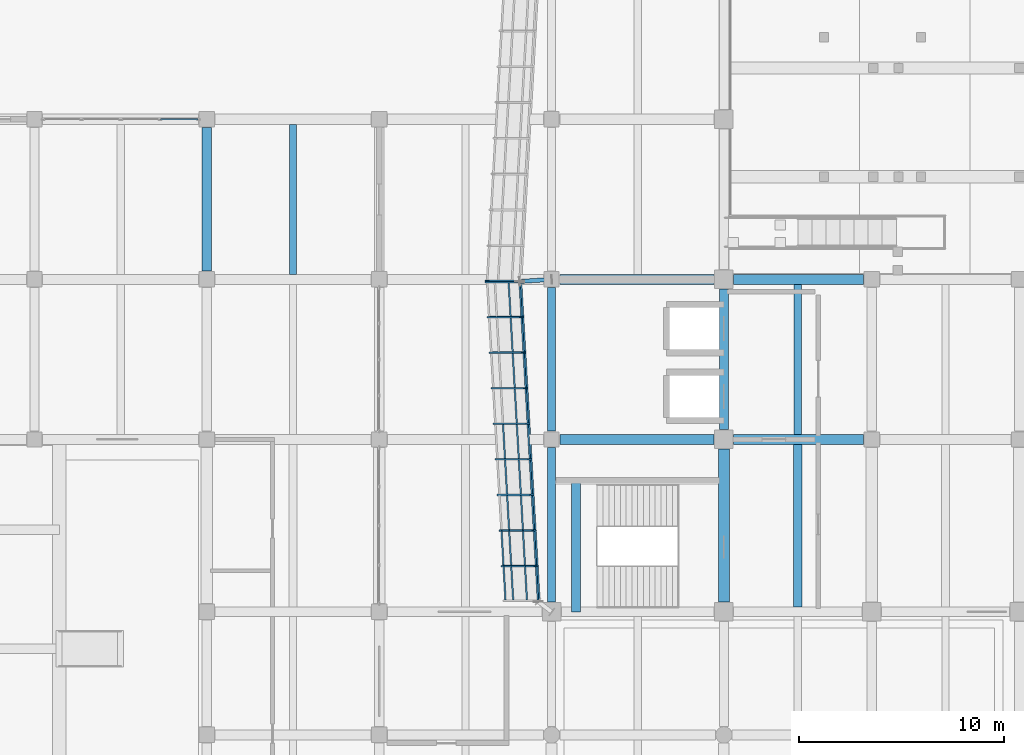
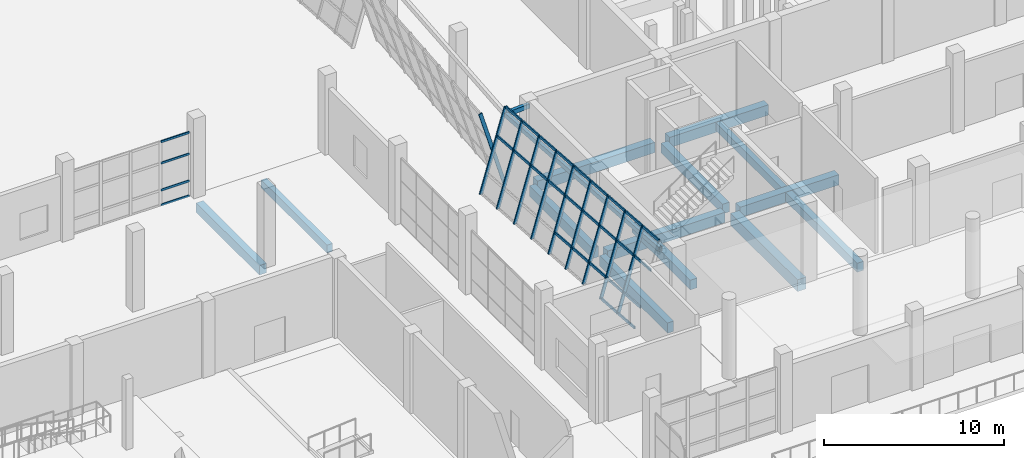
# One storey, part 21 of 78: 39 members, 15 beams, 3 elements without a shape of their own.
"""IFC4 building model written with IfcOpenShell, lengths in metres."""

from ifc_helpers import new_model, si_unit, direction, frame, origin, origin_2d, place, context, subcontext, project, spatial, rectangle, hollow_rectangle, extrude, material, material_profile, profile_set, type_object, element, aggregate, save


model = new_model("IFC4")

# Units and contexts
model_context = context("Model", 3, precision=1e-05, world=origin(), true_north=direction((0.0, 1.0)))
body_context = subcontext(model_context, "Body", "Model", "MODEL_VIEW")
ifc_project = project(units=[si_unit("LENGTHUNIT", "METRE"), si_unit("AREAUNIT", "SQUARE_METRE"), si_unit("VOLUMEUNIT", "CUBIC_METRE"), si_unit("PLANEANGLEUNIT", "RADIAN"), si_unit("MASSUNIT", "GRAM", prefix="KILO")], contexts=[model_context])

# Site, building, storey
site_placement = place(None, origin())
site = spatial("IfcSite", under=ifc_project, at=site_placement, CompositionType="ELEMENT")
building_placement = place(site_placement, origin())
building = spatial("IfcBuilding", under=site, at=building_placement, Name="Pellamere Symphony Hall", CompositionType="ELEMENT")
storey_placement = place(building_placement, origin())
storey = spatial("IfcBuildingStorey", under=building, at=storey_placement, Name="L00", CompositionType="ELEMENT", Elevation=0.0)

# Curtain wall, member
ifc_material_1 = material(Name="Thermally Broken Anodised Aluminium 6063-T6 Curtain Wall", Category="aluminium")
curtain_wall_type_1 = type_object("IfcCurtainWallType", Name="Curtain Wall CW-01 (Tilted Faceted Crystal Low-Iron Curtain Wall)", PredefinedType="NOTDEFINED", material=ifc_material_1)
curtain_wall_1_placement = place(storey_placement, origin())
curtain_wall_1 = element("IfcCurtainWall", 1, at=curtain_wall_1_placement, inside=storey, type_object=curtain_wall_type_1, Name="Crystal Faceted Curtain Wall CW-CR17 (L00)", PredefinedType="NOTDEFINED")
ifc_material_2 = material(Name="Anodised Architectural Aluminium 6063-T6", Category="aluminium")
ifc_material_profile_1 = material_profile(ifc_material_2, hollow_rectangle(XDim=0.074951171875, YDim=0.219970703125, WallThickness=0.0048828125, at=origin_2d()), Name="ALU-M75X220X5")
ifc_profile_set_1 = profile_set([ifc_material_profile_1], Name="Anodised Architectural Aluminium 6063-T6")
member_type_1 = type_object("IfcMemberType", Name="Curtain Wall Mullion ML-01 ALU-M75X220X5", PredefinedType="MULLION", material=ifc_profile_set_1)
member_1_placement = place(storey_placement, frame((48.85205078125, 46.137451171875, 0.0), z_axis=(-0.284029290042, 0.0, 0.958815603961), x_axis=(-0.054873864247, -0.99836096977, -0.016255247244)))
member_1 = element("IfcMember", 2, at=member_1_placement, type_object=member_type_1, Name="CW1-047 crystal mullion 10", PredefinedType="MULLION", context=body_context, shape_type="SweptSolid", body=[
    extrude(hollow_rectangle(XDim=0.074951171875, YDim=0.219970703125, WallThickness=0.0048828125, at=origin_2d()), origin(), (0.0, 0.0, 1.0), 5.6318359375),
])
aggregate(curtain_wall_1, [member_1])

# Curtain wall, members
curtain_wall_2_placement = place(storey_placement, origin())
curtain_wall_2 = element("IfcCurtainWall", 3, at=curtain_wall_2_placement, inside=storey, type_object=curtain_wall_type_1, Name="Crystal Faceted Curtain Wall CW-CR18 (L00)", PredefinedType="NOTDEFINED")
member_2_placement = place(storey_placement, frame((47.25244140625, 46.0625, 0.0), z_axis=(0.284029290042, 0.0, 0.958815603961), x_axis=(-0.055224456577, 0.998339941676, 0.01635910297)))
member_2 = element("IfcMember", 4, at=member_2_placement, type_object=member_type_1, Name="CW1-052 crystal mullion 1", PredefinedType="MULLION", context=body_context, shape_type="SweptSolid", body=[
    extrude(hollow_rectangle(XDim=0.074951171875, YDim=0.219970703125, WallThickness=0.0048828125, at=origin_2d()), origin(), (0.0, 0.0, 1.0), 5.6318359375),
])
member_3_placement = place(storey_placement, frame((47.350341796875, 44.36669921875, 0.0), z_axis=(0.284029290042, 0.0, 0.958815603961), x_axis=(-0.055224456577, 0.998339941676, 0.01635910297)))
member_3 = element("IfcMember", 5, at=member_3_placement, type_object=member_type_1, Name="CW1-052 crystal mullion 2", PredefinedType="MULLION", context=body_context, shape_type="SweptSolid", body=[
    extrude(hollow_rectangle(XDim=0.074951171875, YDim=0.219970703125, WallThickness=0.0048828125, at=origin_2d()), origin(), (0.0, 0.0, 1.0), 5.6318359375),
])
member_4_placement = place(storey_placement, frame((47.450439453125, 42.63330078125, 0.0), z_axis=(0.284029290042, 0.0, 0.958815603961), x_axis=(-0.055224456577, 0.998339941676, 0.01635910297)))
member_4 = element("IfcMember", 6, at=member_4_placement, type_object=member_type_1, Name="CW1-052 crystal mullion 3", PredefinedType="MULLION", context=body_context, shape_type="SweptSolid", body=[
    extrude(hollow_rectangle(XDim=0.074951171875, YDim=0.219970703125, WallThickness=0.0048828125, at=origin_2d()), origin(), (0.0, 0.0, 1.0), 5.6318359375),
])
member_5_placement = place(storey_placement, frame((47.55029296875, 40.89990234375, 0.0), z_axis=(0.284029290042, 0.0, 0.958815603961), x_axis=(-0.055224456577, 0.998339941676, 0.01635910297)))
member_5 = element("IfcMember", 7, at=member_5_placement, type_object=member_type_1, Name="CW1-052 crystal mullion 4", PredefinedType="MULLION", context=body_context, shape_type="SweptSolid", body=[
    extrude(hollow_rectangle(XDim=0.074951171875, YDim=0.219970703125, WallThickness=0.0048828125, at=origin_2d()), origin(), (0.0, 0.0, 1.0), 5.6318359375),
])
member_6_placement = place(storey_placement, frame((47.650390625, 39.166748046875, 0.0), z_axis=(0.284029290042, 0.0, 0.958815603961), x_axis=(-0.055224456577, 0.998339941676, 0.01635910297)))
member_6 = element("IfcMember", 8, at=member_6_placement, type_object=member_type_1, Name="CW1-052 crystal mullion 5", PredefinedType="MULLION", context=body_context, shape_type="SweptSolid", body=[
    extrude(hollow_rectangle(XDim=0.074951171875, YDim=0.219970703125, WallThickness=0.0048828125, at=origin_2d()), origin(), (0.0, 0.0, 1.0), 5.6318359375),
])
member_7_placement = place(storey_placement, frame((47.75048828125, 37.433349609375, 0.0), z_axis=(0.284029290042, 0.0, 0.958815603961), x_axis=(-0.055224456577, 0.998339941676, 0.01635910297)))
member_7 = element("IfcMember", 9, at=member_7_placement, type_object=member_type_1, Name="CW1-052 crystal mullion 6", PredefinedType="MULLION", context=body_context, shape_type="SweptSolid", body=[
    extrude(hollow_rectangle(XDim=0.074951171875, YDim=0.219970703125, WallThickness=0.0048828125, at=origin_2d()), origin(), (0.0, 0.0, 1.0), 5.6318359375),
])
member_8_placement = place(storey_placement, frame((47.850341796875, 35.699951171875, 0.0), z_axis=(0.284029290042, 0.0, 0.958815603961), x_axis=(-0.055224456577, 0.998339941676, 0.01635910297)))
member_8 = element("IfcMember", 10, at=member_8_placement, type_object=member_type_1, Name="CW1-052 crystal mullion 7", PredefinedType="MULLION", context=body_context, shape_type="SweptSolid", body=[
    extrude(hollow_rectangle(XDim=0.074951171875, YDim=0.219970703125, WallThickness=0.0048828125, at=origin_2d()), origin(), (0.0, 0.0, 1.0), 5.6318359375),
])
member_9_placement = place(storey_placement, frame((47.950439453125, 33.966552734375, 0.0), z_axis=(0.284029290042, 0.0, 0.958815603961), x_axis=(-0.055224456577, 0.998339941676, 0.01635910297)))
member_9 = element("IfcMember", 11, at=member_9_placement, type_object=member_type_1, Name="CW1-052 crystal mullion 8", PredefinedType="MULLION", context=body_context, shape_type="SweptSolid", body=[
    extrude(hollow_rectangle(XDim=0.074951171875, YDim=0.219970703125, WallThickness=0.0048828125, at=origin_2d()), origin(), (0.0, 0.0, 1.0), 5.6318359375),
])
member_10_placement = place(storey_placement, frame((48.05029296875, 32.2333984375, 0.0), z_axis=(0.284029290042, 0.0, 0.958815603961), x_axis=(-0.055224456577, 0.998339941676, 0.01635910297)))
member_10 = element("IfcMember", 12, at=member_10_placement, type_object=member_type_1, Name="CW1-052 crystal mullion 9", PredefinedType="MULLION", context=body_context, shape_type="SweptSolid", body=[
    extrude(hollow_rectangle(XDim=0.074951171875, YDim=0.219970703125, WallThickness=0.0048828125, at=origin_2d()), origin(), (0.0, 0.0, 1.0), 5.6318359375),
])
ifc_material_profile_2 = material_profile(ifc_material_2, hollow_rectangle(XDim=0.074951171875, YDim=0.179931640625, WallThickness=0.0048828125, at=origin_2d()), Name="ALU-T75X180X5")
ifc_profile_set_2 = profile_set([ifc_material_profile_2], Name="Anodised Architectural Aluminium 6063-T6")
member_type_2 = type_object("IfcMemberType", Name="Curtain Wall Transom TR-01 ALU-T75X180X5", PredefinedType="USERDEFINED", material=ifc_profile_set_2)
member_11_placement = place(storey_placement, frame((48.310546875, 46.025146484375, 3.56396484375), z_axis=(0.057585007883, -0.99834060664, 0.0), x_axis=(0.99834060664, 0.057585007883, 0.0)))
member_11 = element("IfcMember", 13, at=member_11_placement, type_object=member_type_2, Name="CW1-052 crystal transom 1.3", ObjectType="TRANSOM", PredefinedType="USERDEFINED", context=body_context, shape_type="SweptSolid", body=[
    extrude(hollow_rectangle(XDim=0.074951171875, YDim=0.179931640625, WallThickness=0.0048828125, at=origin_2d()), origin(), (0.0, 0.0, 1.0), 1.623779296875),
])
member_12_placement = place(storey_placement, frame((48.84375, 46.025146484375, 5.364013671875), z_axis=(0.057585007883, -0.99834060664, 0.0), x_axis=(0.99834060664, 0.057585007883, 0.0)))
member_12 = element("IfcMember", 14, at=member_12_placement, type_object=member_type_2, Name="CW1-052 crystal transom 1.4", ObjectType="TRANSOM", PredefinedType="USERDEFINED", context=body_context, shape_type="SweptSolid", body=[
    extrude(hollow_rectangle(XDim=0.074951171875, YDim=0.179931640625, WallThickness=0.0048828125, at=origin_2d()), origin(), (0.0, 0.0, 1.0), 1.623779296875),
])
member_13_placement = place(storey_placement, frame((48.408203125, 44.329345703125, 3.56396484375), z_axis=(0.057602168051, -0.998339616682, 0.0), x_axis=(0.998339616682, 0.057602168051, 0.0)))
member_13 = element("IfcMember", 15, at=member_13_placement, type_object=member_type_2, Name="CW1-052 crystal transom 2.3", ObjectType="TRANSOM", PredefinedType="USERDEFINED", context=body_context, shape_type="SweptSolid", body=[
    extrude(hollow_rectangle(XDim=0.074951171875, YDim=0.179931640625, WallThickness=0.0048828125, at=origin_2d()), origin(), (0.0, 0.0, 1.0), 1.661376953125),
])
member_14_placement = place(storey_placement, frame((48.94140625, 44.329345703125, 5.364013671875), z_axis=(0.057602168051, -0.998339616682, 0.0), x_axis=(0.998339616682, 0.057602168051, 0.0)))
member_14 = element("IfcMember", 16, at=member_14_placement, type_object=member_type_2, Name="CW1-052 crystal transom 2.4", ObjectType="TRANSOM", PredefinedType="USERDEFINED", context=body_context, shape_type="SweptSolid", body=[
    extrude(hollow_rectangle(XDim=0.074951171875, YDim=0.179931640625, WallThickness=0.0048828125, at=origin_2d()), origin(), (0.0, 0.0, 1.0), 1.661376953125),
])
member_15_placement = place(storey_placement, frame((48.50830078125, 42.595947265625, 3.56396484375), z_axis=(0.057610619545, -0.998339129012, 0.0), x_axis=(0.998339129012, 0.057610619545, 0.0)))
member_15 = element("IfcMember", 17, at=member_15_placement, type_object=member_type_2, Name="CW1-052 crystal transom 3.3", ObjectType="TRANSOM", PredefinedType="USERDEFINED", context=body_context, shape_type="SweptSolid", body=[
    extrude(hollow_rectangle(XDim=0.074951171875, YDim=0.179931640625, WallThickness=0.0048828125, at=origin_2d()), origin(), (0.0, 0.0, 1.0), 1.6611328125),
])
member_16_placement = place(storey_placement, frame((49.04150390625, 42.595947265625, 5.364013671875), z_axis=(0.057610619545, -0.998339129012, 0.0), x_axis=(0.998339129012, 0.057610619545, 0.0)))
member_16 = element("IfcMember", 18, at=member_16_placement, type_object=member_type_2, Name="CW1-052 crystal transom 3.4", ObjectType="TRANSOM", PredefinedType="USERDEFINED", context=body_context, shape_type="SweptSolid", body=[
    extrude(hollow_rectangle(XDim=0.074951171875, YDim=0.179931640625, WallThickness=0.0048828125, at=origin_2d()), origin(), (0.0, 0.0, 1.0), 1.6611328125),
])
member_17_placement = place(storey_placement, frame((48.6083984375, 40.862548828125, 3.56396484375), z_axis=(0.057464139598, -0.998347571069, 0.0), x_axis=(0.998347571069, 0.057464139598, 0.0)))
member_17 = element("IfcMember", 19, at=member_17_placement, type_object=member_type_2, Name="CW1-052 crystal transom 4.3", ObjectType="TRANSOM", PredefinedType="USERDEFINED", context=body_context, shape_type="SweptSolid", body=[
    extrude(hollow_rectangle(XDim=0.074951171875, YDim=0.179931640625, WallThickness=0.0048828125, at=origin_2d()), origin(), (0.0, 0.0, 1.0), 1.6611328125),
])
member_18_placement = place(storey_placement, frame((49.1416015625, 40.862548828125, 5.364013671875), z_axis=(0.057610619545, -0.998339129012, 0.0), x_axis=(0.998339129012, 0.057610619545, 0.0)))
member_18 = element("IfcMember", 20, at=member_18_placement, type_object=member_type_2, Name="CW1-052 crystal transom 4.4", ObjectType="TRANSOM", PredefinedType="USERDEFINED", context=body_context, shape_type="SweptSolid", body=[
    extrude(hollow_rectangle(XDim=0.074951171875, YDim=0.179931640625, WallThickness=0.0048828125, at=origin_2d()), origin(), (0.0, 0.0, 1.0), 1.6611328125),
])
member_19_placement = place(storey_placement, frame((48.036376953125, 39.129150390625, 1.2958984375), z_axis=(0.057610619545, -0.998339129012, 0.0), x_axis=(0.998339129012, 0.057610619545, 0.0)))
member_19 = element("IfcMember", 21, at=member_19_placement, type_object=member_type_2, Name="CW1-052 crystal transom 5.2", ObjectType="TRANSOM", PredefinedType="USERDEFINED", context=body_context, shape_type="SweptSolid", body=[
    extrude(hollow_rectangle(XDim=0.074951171875, YDim=0.179931640625, WallThickness=0.0048828125, at=origin_2d()), origin(), (0.0, 0.0, 1.0), 1.6611328125),
])
member_20_placement = place(storey_placement, frame((48.708251953125, 39.129150390625, 3.56396484375), z_axis=(0.057610619545, -0.998339129012, 0.0), x_axis=(0.998339129012, 0.057610619545, 0.0)))
member_20 = element("IfcMember", 22, at=member_20_placement, type_object=member_type_2, Name="CW1-052 crystal transom 5.3", ObjectType="TRANSOM", PredefinedType="USERDEFINED", context=body_context, shape_type="SweptSolid", body=[
    extrude(hollow_rectangle(XDim=0.074951171875, YDim=0.179931640625, WallThickness=0.0048828125, at=origin_2d()), origin(), (0.0, 0.0, 1.0), 1.6611328125),
])
member_21_placement = place(storey_placement, frame((49.241455078125, 39.129150390625, 5.364013671875), z_axis=(0.057610619545, -0.998339129012, 0.0), x_axis=(0.998339129012, 0.057610619545, 0.0)))
member_21 = element("IfcMember", 23, at=member_21_placement, type_object=member_type_2, Name="CW1-052 crystal transom 5.4", ObjectType="TRANSOM", PredefinedType="USERDEFINED", context=body_context, shape_type="SweptSolid", body=[
    extrude(hollow_rectangle(XDim=0.074951171875, YDim=0.179931640625, WallThickness=0.0048828125, at=origin_2d()), origin(), (0.0, 0.0, 1.0), 1.6611328125),
])
member_22_placement = place(storey_placement, frame((48.136474609375, 37.39599609375, 1.2958984375), z_axis=(0.057610619545, -0.998339129012, 0.0), x_axis=(0.998339129012, 0.057610619545, 0.0)))
member_22 = element("IfcMember", 24, at=member_22_placement, type_object=member_type_2, Name="CW1-052 crystal transom 6.2", ObjectType="TRANSOM", PredefinedType="USERDEFINED", context=body_context, shape_type="SweptSolid", body=[
    extrude(hollow_rectangle(XDim=0.074951171875, YDim=0.179931640625, WallThickness=0.0048828125, at=origin_2d()), origin(), (0.0, 0.0, 1.0), 1.6611328125),
])
member_23_placement = place(storey_placement, frame((48.808349609375, 37.39599609375, 3.56396484375), z_axis=(0.057610619545, -0.998339129012, 0.0), x_axis=(0.998339129012, 0.057610619545, 0.0)))
member_23 = element("IfcMember", 25, at=member_23_placement, type_object=member_type_2, Name="CW1-052 crystal transom 6.3", ObjectType="TRANSOM", PredefinedType="USERDEFINED", context=body_context, shape_type="SweptSolid", body=[
    extrude(hollow_rectangle(XDim=0.074951171875, YDim=0.179931640625, WallThickness=0.0048828125, at=origin_2d()), origin(), (0.0, 0.0, 1.0), 1.6611328125),
])
member_24_placement = place(storey_placement, frame((49.341552734375, 37.39599609375, 5.364013671875), z_axis=(0.057610619545, -0.998339129012, 0.0), x_axis=(0.998339129012, 0.057610619545, 0.0)))
member_24 = element("IfcMember", 26, at=member_24_placement, type_object=member_type_2, Name="CW1-052 crystal transom 6.4", ObjectType="TRANSOM", PredefinedType="USERDEFINED", context=body_context, shape_type="SweptSolid", body=[
    extrude(hollow_rectangle(XDim=0.074951171875, YDim=0.179931640625, WallThickness=0.0048828125, at=origin_2d()), origin(), (0.0, 0.0, 1.0), 1.6611328125),
])
member_25_placement = place(storey_placement, frame((48.236572265625, 35.66259765625, 1.2958984375), z_axis=(0.057464139598, -0.998347571069, 0.0), x_axis=(0.998347571069, 0.057464139598, 0.0)))
member_25 = element("IfcMember", 27, at=member_25_placement, type_object=member_type_2, Name="CW1-052 crystal transom 7.2", ObjectType="TRANSOM", PredefinedType="USERDEFINED", context=body_context, shape_type="SweptSolid", body=[
    extrude(hollow_rectangle(XDim=0.074951171875, YDim=0.179931640625, WallThickness=0.0048828125, at=origin_2d()), origin(), (0.0, 0.0, 1.0), 1.6611328125),
])
member_26_placement = place(storey_placement, frame((48.908203125, 35.66259765625, 3.56396484375), z_axis=(0.057610619545, -0.998339129012, 0.0), x_axis=(0.998339129012, 0.057610619545, 0.0)))
member_26 = element("IfcMember", 28, at=member_26_placement, type_object=member_type_2, Name="CW1-052 crystal transom 7.3", ObjectType="TRANSOM", PredefinedType="USERDEFINED", context=body_context, shape_type="SweptSolid", body=[
    extrude(hollow_rectangle(XDim=0.074951171875, YDim=0.179931640625, WallThickness=0.0048828125, at=origin_2d()), origin(), (0.0, 0.0, 1.0), 1.6611328125),
])
member_27_placement = place(storey_placement, frame((49.44140625, 35.66259765625, 5.364013671875), z_axis=(0.057610619545, -0.998339129012, 0.0), x_axis=(0.998339129012, 0.057610619545, 0.0)))
member_27 = element("IfcMember", 29, at=member_27_placement, type_object=member_type_2, Name="CW1-052 crystal transom 7.4", ObjectType="TRANSOM", PredefinedType="USERDEFINED", context=body_context, shape_type="SweptSolid", body=[
    extrude(hollow_rectangle(XDim=0.074951171875, YDim=0.179931640625, WallThickness=0.0048828125, at=origin_2d()), origin(), (0.0, 0.0, 1.0), 1.6611328125),
])
member_28_placement = place(storey_placement, frame((47.963134765625, 33.92919921875, 0.035888671875), z_axis=(0.057610619545, -0.998339129012, 0.0), x_axis=(0.998339129012, 0.057610619545, 0.0)))
member_28 = element("IfcMember", 30, at=member_28_placement, type_object=member_type_2, Name="CW1-052 crystal transom 8.1", ObjectType="TRANSOM", PredefinedType="USERDEFINED", context=body_context, shape_type="SweptSolid", body=[
    extrude(hollow_rectangle(XDim=0.074951171875, YDim=0.179931640625, WallThickness=0.0048828125, at=origin_2d()), origin(), (0.0, 0.0, 1.0), 1.6611328125),
])
member_29_placement = place(storey_placement, frame((48.33642578125, 33.92919921875, 1.2958984375), z_axis=(0.057610619545, -0.998339129012, 0.0), x_axis=(0.998339129012, 0.057610619545, 0.0)))
member_29 = element("IfcMember", 31, at=member_29_placement, type_object=member_type_2, Name="CW1-052 crystal transom 8.2", ObjectType="TRANSOM", PredefinedType="USERDEFINED", context=body_context, shape_type="SweptSolid", body=[
    extrude(hollow_rectangle(XDim=0.074951171875, YDim=0.179931640625, WallThickness=0.0048828125, at=origin_2d()), origin(), (0.0, 0.0, 1.0), 1.6611328125),
])
member_30_placement = place(storey_placement, frame((49.00830078125, 33.92919921875, 3.56396484375), z_axis=(0.057610619545, -0.998339129012, 0.0), x_axis=(0.998339129012, 0.057610619545, 0.0)))
member_30 = element("IfcMember", 32, at=member_30_placement, type_object=member_type_2, Name="CW1-052 crystal transom 8.3", ObjectType="TRANSOM", PredefinedType="USERDEFINED", context=body_context, shape_type="SweptSolid", body=[
    extrude(hollow_rectangle(XDim=0.074951171875, YDim=0.179931640625, WallThickness=0.0048828125, at=origin_2d()), origin(), (0.0, 0.0, 1.0), 1.6611328125),
])
member_31_placement = place(storey_placement, frame((49.54150390625, 33.92919921875, 5.364013671875), z_axis=(0.057610619545, -0.998339129012, 0.0), x_axis=(0.998339129012, 0.057610619545, 0.0)))
member_31 = element("IfcMember", 33, at=member_31_placement, type_object=member_type_2, Name="CW1-052 crystal transom 8.4", ObjectType="TRANSOM", PredefinedType="USERDEFINED", context=body_context, shape_type="SweptSolid", body=[
    extrude(hollow_rectangle(XDim=0.074951171875, YDim=0.179931640625, WallThickness=0.0048828125, at=origin_2d()), origin(), (0.0, 0.0, 1.0), 1.6611328125),
])
member_32_placement = place(storey_placement, frame((48.063232421875, 32.19580078125, 0.035888671875), z_axis=(0.057593652861, -0.998340107954, 0.0), x_axis=(0.998340107954, 0.057593652861, 0.0)))
member_32 = element("IfcMember", 34, at=member_32_placement, type_object=member_type_2, Name="CW1-052 crystal transom 9.1", ObjectType="TRANSOM", PredefinedType="USERDEFINED", context=body_context, shape_type="SweptSolid", body=[
    extrude(hollow_rectangle(XDim=0.074951171875, YDim=0.179931640625, WallThickness=0.0048828125, at=origin_2d()), origin(), (0.0, 0.0, 1.0), 1.62353515625),
])
member_33_placement = place(storey_placement, frame((48.4365234375, 32.19580078125, 1.2958984375), z_axis=(0.057593652861, -0.998340107954, 0.0), x_axis=(0.998340107954, 0.057593652861, 0.0)))
member_33 = element("IfcMember", 35, at=member_33_placement, type_object=member_type_2, Name="CW1-052 crystal transom 9.2", ObjectType="TRANSOM", PredefinedType="USERDEFINED", context=body_context, shape_type="SweptSolid", body=[
    extrude(hollow_rectangle(XDim=0.074951171875, YDim=0.179931640625, WallThickness=0.0048828125, at=origin_2d()), origin(), (0.0, 0.0, 1.0), 1.62353515625),
])
member_34_placement = place(storey_placement, frame((49.1083984375, 32.19580078125, 3.56396484375), z_axis=(0.057593652861, -0.998340107954, 0.0), x_axis=(0.998340107954, 0.057593652861, 0.0)))
member_34 = element("IfcMember", 36, at=member_34_placement, type_object=member_type_2, Name="CW1-052 crystal transom 9.3", ObjectType="TRANSOM", PredefinedType="USERDEFINED", context=body_context, shape_type="SweptSolid", body=[
    extrude(hollow_rectangle(XDim=0.074951171875, YDim=0.179931640625, WallThickness=0.0048828125, at=origin_2d()), origin(), (0.0, 0.0, 1.0), 1.62353515625),
])
member_35_placement = place(storey_placement, frame((49.6416015625, 32.19580078125, 5.364013671875), z_axis=(0.057593652861, -0.998340107954, 0.0), x_axis=(0.998340107954, 0.057593652861, 0.0)))
member_35 = element("IfcMember", 37, at=member_35_placement, type_object=member_type_2, Name="CW1-052 crystal transom 9.4", ObjectType="TRANSOM", PredefinedType="USERDEFINED", context=body_context, shape_type="SweptSolid", body=[
    extrude(hollow_rectangle(XDim=0.074951171875, YDim=0.179931640625, WallThickness=0.0048828125, at=origin_2d()), origin(), (0.0, 0.0, 1.0), 1.62353515625),
])
aggregate(curtain_wall_2, [member_2, member_3, member_4, member_5, member_6, member_7, member_8, member_9, member_10, member_11, member_12, member_13, member_14, member_15, member_16, member_17, member_18, member_19, member_20, member_21, member_22, member_23, member_24, member_25, member_26, member_27, member_28, member_29, member_30, member_31, member_32, member_33, member_34, member_35])

curtain_wall_type_2 = type_object("IfcCurtainWallType", Name="Curtain Wall CW-04 (Chamber Music Lobby Curtain Wall)", PredefinedType="NOTDEFINED", material=ifc_material_1)
curtain_wall_3_placement = place(storey_placement, origin())
curtain_wall_3 = element("IfcCurtainWall", 38, at=curtain_wall_3_placement, inside=storey, type_object=curtain_wall_type_2, Name="Chamber Garden North Curtain Wall (L00 Bay 2)", PredefinedType="NOTDEFINED")
ifc_material_profile_3 = material_profile(ifc_material_2, hollow_rectangle(XDim=0.06494140625, YDim=0.139892578125, WallThickness=0.00390625, at=origin_2d()), Name="ALU-T65X140X4")
ifc_profile_set_3 = profile_set([ifc_material_profile_3], Name="Anodised Architectural Aluminium 6063-T6")
member_type_3 = type_object("IfcMemberType", Name="Curtain Wall Transom TR-02 ALU-T65X140X4", PredefinedType="USERDEFINED", material=ifc_profile_set_3)
member_36_placement = place(storey_placement, frame((31.344970703125, 54.0, 0.032470703125), z_axis=(1.0, 0.0, 0.0), x_axis=(0.0, 1.0, 0.0)))
member_36 = element("IfcMember", 39, at=member_36_placement, type_object=member_type_3, Name="CW4N-113 crystal transom 4.1", ObjectType="TRANSOM", PredefinedType="USERDEFINED", context=body_context, shape_type="SweptSolid", body=[
    extrude(hollow_rectangle(XDim=0.06494140625, YDim=0.139892578125, WallThickness=0.00390625, at=origin_2d()), origin(), (0.0, 0.0, 1.0), 1.81494140625),
])
member_37_placement = place(storey_placement, frame((31.344970703125, 54.0, 1.04150390625), z_axis=(1.0, 0.0, 0.0), x_axis=(0.0, 1.0, 0.0)))
member_37 = element("IfcMember", 40, at=member_37_placement, type_object=member_type_3, Name="CW4N-113 crystal transom 4.2", ObjectType="TRANSOM", PredefinedType="USERDEFINED", context=body_context, shape_type="SweptSolid", body=[
    extrude(hollow_rectangle(XDim=0.06494140625, YDim=0.139892578125, WallThickness=0.00390625, at=origin_2d()), origin(), (0.0, 0.0, 1.0), 1.81494140625),
])
member_38_placement = place(storey_placement, frame((31.344970703125, 54.0, 2.864501953125), z_axis=(1.0, 0.0, 0.0), x_axis=(0.0, 1.0, 0.0)))
member_38 = element("IfcMember", 41, at=member_38_placement, type_object=member_type_3, Name="CW4N-113 crystal transom 4.3", ObjectType="TRANSOM", PredefinedType="USERDEFINED", context=body_context, shape_type="SweptSolid", body=[
    extrude(hollow_rectangle(XDim=0.06494140625, YDim=0.139892578125, WallThickness=0.00390625, at=origin_2d()), origin(), (0.0, 0.0, 1.0), 1.81494140625),
])
member_39_placement = place(storey_placement, frame((31.344970703125, 54.0, 4.3076171875), z_axis=(1.0, 0.0, 0.0), x_axis=(0.0, 1.0, 0.0)))
member_39 = element("IfcMember", 42, at=member_39_placement, type_object=member_type_3, Name="CW4N-113 crystal transom 4.4", ObjectType="TRANSOM", PredefinedType="USERDEFINED", context=body_context, shape_type="SweptSolid", body=[
    extrude(hollow_rectangle(XDim=0.06494140625, YDim=0.139892578125, WallThickness=0.00390625, at=origin_2d()), origin(), (0.0, 0.0, 1.0), 1.81494140625),
])
aggregate(curtain_wall_3, [member_36, member_37, member_38, member_39])

# Beams
ifc_material_3 = material(Name="Concrete 40 MPa", Category="concrete")
ifc_material_profile_4 = material_profile(ifc_material_3, rectangle(XDim=0.550048828125, YDim=0.800048828125, at=origin_2d()), Name="RC 550x800")
ifc_profile_set_4 = profile_set([ifc_material_profile_4], Name="Concrete 40 MPa")
beam_type_1 = type_object("IfcBeamType", Name="RC CB-05 550x800", PredefinedType="BEAM", material=ifc_profile_set_4)
beam_1_placement = place(storey_placement, frame((58.800048828125, 30.47509765625, -0.699951171875), z_axis=(0.0, 1.0, 0.0), x_axis=(-1.0, 0.0, 0.0)))
element("IfcBeam", 43, at=beam_1_placement, inside=storey, type_object=beam_type_1, Name="Girder CB-05-Y0248 (L00)", PredefinedType="BEAM", context=body_context, shape_type="SweptSolid", body=[
    extrude(rectangle(XDim=0.550048828125, YDim=0.800048828125, at=origin_2d()), origin(), (0.0, 0.0, 1.0), 7.449951171875),
])
ifc_material_profile_5 = material_profile(ifc_material_3, rectangle(XDim=0.5, YDim=0.699951171875, at=origin_2d()), Name="RC 500x700")
ifc_profile_set_5 = profile_set([ifc_material_profile_5], Name="Concrete 40 MPa")
beam_type_2 = type_object("IfcBeamType", Name="RC CB-07 500x700", PredefinedType="BEAM", material=ifc_profile_set_5)
beam_2_placement = place(storey_placement, frame((50.800048828125, 38.39990234375, -0.64990234375), z_axis=(1.0, 0.0, 0.0), x_axis=(0.0, 1.0, 0.0)))
element("IfcBeam", 44, at=beam_2_placement, inside=storey, type_object=beam_type_2, Name="Girder CB-07-X0074 (L00)", PredefinedType="BEAM", context=body_context, shape_type="SweptSolid", body=[
    extrude(rectangle(XDim=0.5, YDim=0.699951171875, at=origin_2d()), origin(), (0.0, 0.0, 1.0), 7.52490234375),
])
beam_3_placement = place(storey_placement, frame((59.27490234375, 38.39990234375, -0.64990234375), z_axis=(1.0, 0.0, 0.0), x_axis=(0.0, 1.0, 0.0)))
element("IfcBeam", 45, at=beam_3_placement, inside=storey, type_object=beam_type_2, Name="Girder CB-07-X0075 (L00)", PredefinedType="BEAM", context=body_context, shape_type="SweptSolid", body=[
    extrude(rectangle(XDim=0.5, YDim=0.699951171875, at=origin_2d()), origin(), (0.0, 0.0, 1.0), 6.3251953125),
])
beam_4_placement = place(storey_placement, frame((50.800048828125, 46.199951171875, -0.64990234375), z_axis=(1.0, 0.0, 0.0), x_axis=(0.0, 1.0, 0.0)))
element("IfcBeam", 46, at=beam_4_placement, inside=storey, type_object=beam_type_2, Name="Girder CB-07-X0095 (L00)", PredefinedType="BEAM", context=body_context, shape_type="SweptSolid", body=[
    extrude(rectangle(XDim=0.5, YDim=0.699951171875, at=origin_2d()), origin(), (0.0, 0.0, 1.0), 7.52490234375),
])
beam_5_placement = place(storey_placement, frame((59.27490234375, 46.199951171875, -0.64990234375), z_axis=(1.0, 0.0, 0.0), x_axis=(0.0, 1.0, 0.0)))
element("IfcBeam", 47, at=beam_5_placement, inside=storey, type_object=beam_type_2, Name="Girder CB-07-X0096 (L00)", PredefinedType="BEAM", context=body_context, shape_type="SweptSolid", body=[
    extrude(rectangle(XDim=0.5, YDim=0.699951171875, at=origin_2d()), origin(), (0.0, 0.0, 1.0), 6.3251953125),
])
ifc_material_profile_6 = material_profile(ifc_material_3, rectangle(XDim=0.449951171875, YDim=0.64990234375, at=origin_2d()), Name="RC 450x650")
ifc_profile_set_6 = profile_set([ifc_material_profile_6], Name="Concrete 40 MPa")
beam_type_3 = type_object("IfcBeamType", Name="RC CB-08 450x650", PredefinedType="BEAM", material=ifc_profile_set_6)
beam_6_placement = place(storey_placement, frame((33.60009765625, 46.60009765625, -0.625), z_axis=(0.0, 1.0, 0.0), x_axis=(-1.0, 0.0, 0.0)))
element("IfcBeam", 48, at=beam_6_placement, inside=storey, type_object=beam_type_3, Name="Girder CB-08-Y0225 (L00)", PredefinedType="BEAM", context=body_context, shape_type="SweptSolid", body=[
    extrude(rectangle(XDim=0.449951171875, YDim=0.64990234375, at=origin_2d()), origin(), (0.0, 0.0, 1.0), 7.0),
])
beam_7_placement = place(storey_placement, frame((58.800048828125, 38.875, -0.625), z_axis=(0.0, 1.0, 0.0), x_axis=(-1.0, 0.0, 0.0)))
element("IfcBeam", 49, at=beam_7_placement, inside=storey, type_object=beam_type_3, Name="Girder CB-08-Y0249 (L00)", PredefinedType="BEAM", context=body_context, shape_type="SweptSolid", body=[
    extrude(rectangle(XDim=0.449951171875, YDim=0.64990234375, at=origin_2d()), origin(), (0.0, 0.0, 1.0), 6.85009765625),
])
beam_8_placement = place(storey_placement, frame((51.592529296875, 29.97998046875, 2.155029296875), z_axis=(0.0, 1.0, 0.0), x_axis=(-1.0, 0.0, 0.0)))
element("IfcBeam", 50, at=beam_8_placement, inside=storey, type_object=beam_type_3, Name="Stair ST01-L00 Half Landing Support Beam (L00)", PredefinedType="BEAM", context=body_context, shape_type="SweptSolid", body=[
    extrude(rectangle(XDim=0.449951171875, YDim=0.64990234375, at=origin_2d()), origin(), (0.0, 0.0, 1.0), 6.43994140625),
])
ifc_material_profile_7 = material_profile(ifc_material_3, rectangle(XDim=0.39990234375, YDim=0.60009765625, at=origin_2d()), Name="RC 400x600")
ifc_profile_set_7 = profile_set([ifc_material_profile_7], Name="Concrete 40 MPa")
beam_type_4 = type_object("IfcBeamType", Name="RC CB-09 400x600", PredefinedType="BEAM", material=ifc_profile_set_7)
beam_9_placement = place(storey_placement, frame((62.39990234375, 30.22509765625, -0.614990234375), z_axis=(0.0, 1.0, 0.0), x_axis=(-1.0, 0.0, 0.0)))
element("IfcBeam", 51, at=beam_9_placement, inside=storey, type_object=beam_type_4, Name="Secondary Floor Beam CB-09-M0704 (L00)", PredefinedType="BEAM", context=body_context, shape_type="SweptSolid", body=[
    extrude(rectangle(XDim=0.39990234375, YDim=0.60009765625, at=origin_2d()), origin(), (0.0, 0.0, 1.0), 7.9248046875),
])
ifc_material_4 = material(Name="Concrete 35 MPa", Category="concrete")
ifc_material_profile_8 = material_profile(ifc_material_4, rectangle(XDim=0.35009765625, YDim=0.550048828125, at=origin_2d()), Name="RC 350x550")
ifc_profile_set_8 = profile_set([ifc_material_profile_8], Name="Concrete 35 MPa")
beam_type_5 = type_object("IfcBeamType", Name="RC CB-10 350x550", PredefinedType="BEAM", material=ifc_profile_set_8)
for number, where, z_axis, x_axis, name in (
    (52, (37.800048828125, 46.449951171875, -0.590087890625), (0.0, 1.0, 0.0), (-1.0, 0.0, 0.0), "Secondary Floor Beam CB-10-M0406 (L00)"),
    (53, (62.39990234375, 38.64990234375, -0.590087890625), (0.0, 1.0, 0.0), (-1.0, 0.0, 0.0), "Secondary Floor Beam CB-10-M0705 (L00)"),
):
    element("IfcBeam", number, at=place(storey_placement, frame(where, z_axis=z_axis, x_axis=x_axis)), inside=storey, type_object=beam_type_5, Name=name, PredefinedType="BEAM", context=body_context, shape_type="SweptSolid", body=[
        extrude(rectangle(XDim=0.35009765625, YDim=0.550048828125, at=origin_2d()), origin(), (0.0, 0.0, 1.0), 7.300048828125),
    ])
ifc_material_profile_9 = material_profile(ifc_material_3, rectangle(XDim=0.39990234375, YDim=0.699951171875, at=origin_2d()), Name="RC 400x700")
ifc_profile_set_9 = profile_set([ifc_material_profile_9], Name="Concrete 40 MPa")
beam_type_6 = type_object("IfcBeamType", Name="RC CB-13 400x700", PredefinedType="SPANDREL", material=ifc_profile_set_9)
beam_10_placement = place(storey_placement, frame((50.39990234375, 30.47509765625, -0.64990234375), z_axis=(0.0, 1.0, 0.0), x_axis=(-1.0, 0.0, 0.0)))
element("IfcBeam", 54, at=beam_10_placement, inside=storey, type_object=beam_type_6, Name="Girder CB-13-Y0235 (L00)", PredefinedType="SPANDREL", context=body_context, shape_type="SweptSolid", body=[
    extrude(rectangle(XDim=0.39990234375, YDim=0.699951171875, at=origin_2d()), origin(), (0.0, 0.0, 1.0), 7.52490234375),
])
beam_11_placement = place(storey_placement, frame((50.39990234375, 38.800048828125, -0.64990234375), z_axis=(0.0, 1.0, 0.0), x_axis=(-1.0, 0.0, 0.0)))
element("IfcBeam", 55, at=beam_11_placement, inside=storey, type_object=beam_type_6, Name="Girder CB-13-Y0236 (L00)", PredefinedType="SPANDREL", context=body_context, shape_type="SweptSolid", body=[
    extrude(rectangle(XDim=0.39990234375, YDim=0.699951171875, at=origin_2d()), origin(), (0.0, 0.0, 1.0), 7.0),
])
ifc_material_5 = material(Name="Steel CSA G40.21 350W", Category="steel")
ifc_material_profile_10 = material_profile(ifc_material_5, hollow_rectangle(XDim=0.203125, YDim=0.3046875, WallThickness=0.0126953125, at=origin_2d()), Name="HSS305X203X13")
ifc_profile_set_10 = profile_set([ifc_material_profile_10], Name="Steel CSA G40.21 350W")
beam_type_7 = type_object("IfcBeamType", Name="Steel Spandrel SB-26 HSS305X203X13", PredefinedType="SPANDREL", material=ifc_profile_set_10)
beam_12_placement = place(storey_placement, frame((50.39990234375, 46.199951171875, 4.840087890625), z_axis=(-0.997930844069, -0.064296426469, 0.0), x_axis=(0.064296426469, -0.997930844069, 0.0)))
element("IfcBeam", 56, at=beam_12_placement, inside=storey, type_object=beam_type_7, Name="Crystal Ring Outrigger Bracket 107 (L00)", PredefinedType="SPANDREL", context=body_context, shape_type="SweptSolid", body=[
    extrude(hollow_rectangle(XDim=0.203125, YDim=0.3046875, WallThickness=0.0126953125, at=origin_2d()), origin(), (0.0, 0.0, 1.0), 1.552978515625),
])
beam_13_placement = place(storey_placement, frame((48.85009765625, 46.10009765625, 4.840087890625), z_axis=(0.057589946883, -0.998340321743, 0.0), x_axis=(0.998340321743, 0.057589946883, 0.0)))
element("IfcBeam", 57, at=beam_13_placement, inside=storey, type_object=beam_type_7, Name="Crystal Perimeter Ring Beam CW-CR18 (L00)", PredefinedType="SPANDREL", context=body_context, shape_type="SweptSolid", body=[
    extrude(hollow_rectangle(XDim=0.203125, YDim=0.3046875, WallThickness=0.0126953125, at=origin_2d()), origin(), (0.0, 0.0, 1.0), 15.6259765625),
])

save(model, "model.ifc")
